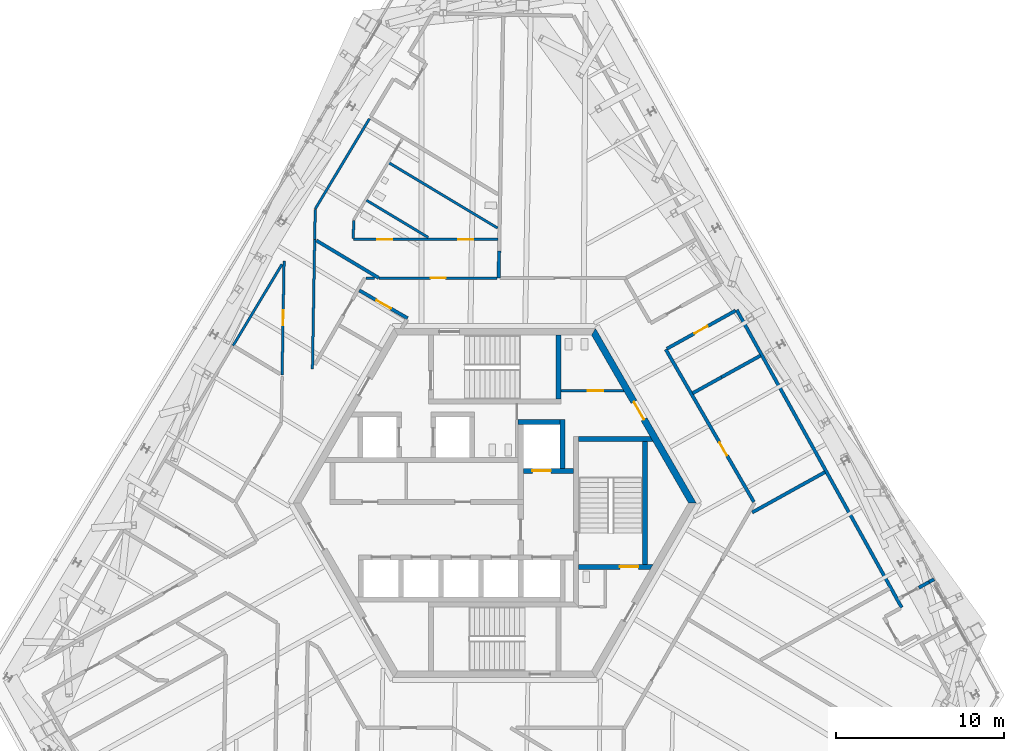
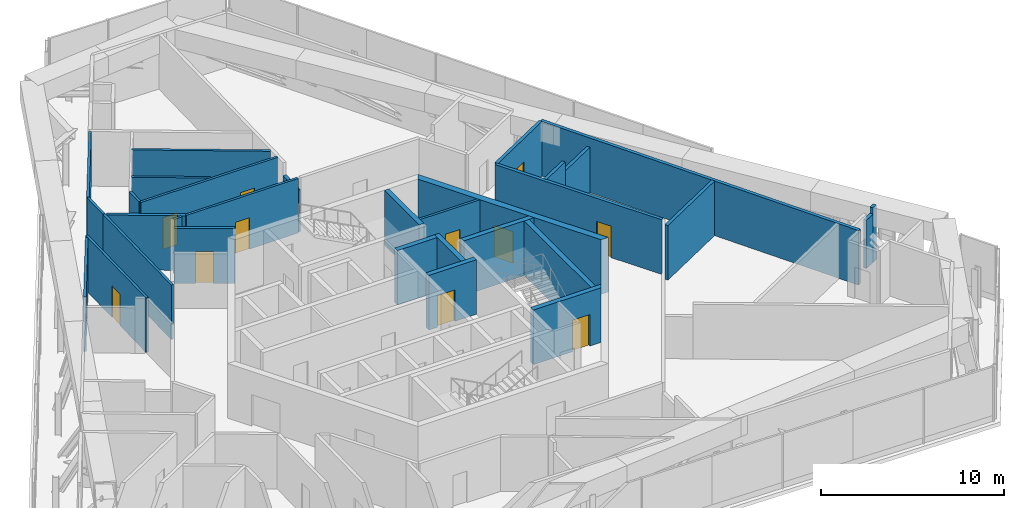
# One storey, part 18 of 28: 31 walls, 11 doors, 11 openings.
"""IFC4 building model written with IfcOpenShell, lengths in metres."""

from ifc_helpers import new_model, si_unit, direction, frame, frame_2d, origin, place, context, subcontext, project, spatial, polyline, rectangle, outline, extrude, source, transform, mapped, material, layer, layer_set, type_object, element, fill, save


model = new_model("IFC4")

# Units and contexts
model_context = context("Model", 3, precision=1e-05, world=origin(), true_north=direction((0.0, 1.0)))
body_context = subcontext(model_context, "Body", "Model", "MODEL_VIEW")
ifc_project = project(units=[si_unit("LENGTHUNIT", "METRE"), si_unit("AREAUNIT", "SQUARE_METRE"), si_unit("VOLUMEUNIT", "CUBIC_METRE"), si_unit("PLANEANGLEUNIT", "RADIAN"), si_unit("MASSUNIT", "GRAM", prefix="KILO")], contexts=[model_context])

# Site, building, storey
site_placement = place(None, origin())
site = spatial("IfcSite", under=ifc_project, at=site_placement, CompositionType="ELEMENT")
building_placement = place(site_placement, origin())
building = spatial("IfcBuilding", under=site, at=building_placement, Name="Triune Harvest Tower", CompositionType="ELEMENT")
storey_placement = place(building_placement, frame((0.0, 0.0, 215.89990234375)))
storey = spatial("IfcBuildingStorey", under=building, at=storey_placement, Name="L56", CompositionType="ELEMENT", Elevation=215.89990234375)

# Walls
ifc_material_1 = material(Name="Gypsum board on steel studs", Category="steel")
ifc_layer_1 = layer(ifc_material_1, 0.14990234375)
ifc_layer_set_1 = layer_set([ifc_layer_1], Name="Gypsum board on steel studs")
wall_type_1 = type_object("IfcWallType", Name="Fire Partition 150 mm", PredefinedType="PARTITIONING", material=ifc_layer_set_1)
wall_1_placement = place(storey_placement, frame((-7.6357421875, 18.02197265625, 0.0), z_axis=(0.0, 0.0, 1.0), x_axis=(0.857176663713, -0.515022491923, 0.0)))
element("IfcWall", 1, at=wall_1_placement, inside=storey, type_object=wall_type_1, Name="Partition L56 023", PredefinedType="PARTITIONING", context=body_context, shape_type="SweptSolid", body=[
    extrude(rectangle(XDim=4.29345703125, YDim=0.14990234375, at=frame_2d((2.146728515625, 0.0))), origin(), (0.0, 0.0, 1.0), 3.64013671875),
])
wall_2_placement = place(storey_placement, frame((-6.337646484375, 20.279296875, 0.0), z_axis=(0.0, 0.0, 1.0), x_axis=(0.857177957117, -0.515020339241, 0.0)))
element("IfcWall", 2, at=wall_2_placement, inside=storey, type_object=wall_type_1, Name="Partition L56 024", PredefinedType="PARTITIONING", context=body_context, shape_type="SweptSolid", body=[
    extrude(rectangle(XDim=7.595458984375, YDim=0.14990234375, at=frame_2d((3.7978515625, 0.0))), origin(), (0.0, 0.0, 1.0), 3.64013671875),
])
wall_3_placement = place(storey_placement, frame((-7.662109375, 13.392333984375, 0.0), z_axis=(0.0, 0.0, 1.0), x_axis=(1.0, 0.0, 0.0)))
element("IfcWall", 3, at=wall_3_placement, inside=storey, type_object=wall_type_1, Name="Partition L56 040", PredefinedType="PARTITIONING", context=body_context, shape_type="SweptSolid", body=[
    extrude(rectangle(XDim=0.490966796875, YDim=0.14990234375, at=frame_2d((0.24560546875, 0.0))), origin(), (0.0, 0.0, 1.0), 3.64013671875),
])

# Wall, opening, door
wall_4_placement = place(storey_placement, frame((-6.89111328125, 13.392333984375, 0.0), z_axis=(0.0, 0.0, 1.0), x_axis=(1.0, 0.0, 0.0)))
wall_4 = element("IfcWall", 4, at=wall_4_placement, inside=storey, type_object=wall_type_1, Name="Partition L56 041", PredefinedType="PARTITIONING", context=body_context, shape_type="SweptSolid", body=[
    extrude(rectangle(XDim=7.0419921875, YDim=0.14990234375, at=frame_2d((3.52099609375, 0.0))), origin(), (0.0, 0.0, 1.0), 3.64013671875),
])
opening_1_placement = place(wall_4_placement, frame((3.074951171875, 0.0, 0.0)))
opening_1 = element("IfcOpeningElement", 5, at=opening_1_placement, cuts=wall_4, Name="Opening L56-008", PredefinedType="OPENING", context=body_context, shape_type="SweptSolid", body=[
    extrude(rectangle(XDim=0.89990234375, YDim=2.10009765625, at=frame_2d((0.449951171875, 1.050048828125))), frame((0.0, 0.0849609375, 0.0), z_axis=(0.0, -1.0, 0.0), x_axis=(1.0, 0.0, 0.0)), (0.0, 0.0, 1.0), 0.169921875),
])
ifc_material_2 = material(Name="Timber and steel door set", Category="steel")
door_type_1 = type_object("IfcDoorType", Name="Single leaf door FD30 left hand 900 x 2100", OperationType="SINGLE_SWING_LEFT", PredefinedType="DOOR", material=ifc_material_2)
door_1_placement = place(opening_1_placement, origin())
door_1 = element("IfcDoor", 6, at=door_1_placement, inside=storey, type_object=door_type_1, Name="Door L56-008 WC lobby 56.08", OperationType="SINGLE_SWING_LEFT", OverallHeight=2.10009765625, OverallWidth=0.89990234375, PredefinedType="DOOR", context=body_context, shape_type="SweptSolid", body=[
    extrude(rectangle(XDim=0.89990234375, YDim=2.10009765625, at=frame_2d((0.449951171875, 1.050048828125))), frame((0.0, 0.02490234375, 0.0), z_axis=(0.0, -1.0, 0.0), x_axis=(1.0, 0.0, 0.0)), (0.0, 0.0, 1.0), 0.050048828125),
])
fill(opening_1, door_1)

# Wall, openings, doors
wall_5_placement = place(storey_placement, frame((-8.418212890625, 15.6923828125, 0.0), z_axis=(0.0, 0.0, 1.0), x_axis=(1.0, 0.0, 0.0)))
wall_5 = element("IfcWall", 7, at=wall_5_placement, inside=storey, type_object=wall_type_1, Name="Partition L56 043", PredefinedType="PARTITIONING", context=body_context, shape_type="SweptSolid", body=[
    extrude(rectangle(XDim=8.612060546875, YDim=0.14990234375, at=frame_2d((4.30615234375, 0.0))), origin(), (0.0, 0.0, 1.0), 3.64013671875),
])
opening_2_placement = place(wall_5_placement, frame((6.2421875, 0.0, 0.0)))
opening_2 = element("IfcOpeningElement", 8, at=opening_2_placement, cuts=wall_5, Name="Opening L56-010", PredefinedType="OPENING", context=body_context, shape_type="SweptSolid", body=[
    extrude(rectangle(XDim=0.89990234375, YDim=2.10009765625, at=frame_2d((0.449951171875, 1.050048828125))), frame((0.0, 0.0849609375, 0.0), z_axis=(0.0, -1.0, 0.0), x_axis=(1.0, 0.0, 0.0)), (0.0, 0.0, 1.0), 0.169921875),
])
opening_3_placement = place(wall_5_placement, frame((1.409912109375, 0.0, 0.0)))
opening_3 = element("IfcOpeningElement", 9, at=opening_3_placement, cuts=wall_5, Name="Opening L56-011", PredefinedType="OPENING", context=body_context, shape_type="SweptSolid", body=[
    extrude(rectangle(XDim=0.89990234375, YDim=2.10009765625, at=frame_2d((0.449951171875, 1.050048828125))), frame((0.0, 0.0849609375, 0.0), z_axis=(0.0, -1.0, 0.0), x_axis=(1.0, 0.0, 0.0)), (0.0, 0.0, 1.0), 0.169921875),
])
door_2_placement = place(opening_3_placement, origin())
door_2 = element("IfcDoor", 10, at=door_2_placement, inside=storey, type_object=door_type_1, Name="Door L56-011 Accessible WC 56.11", OperationType="SINGLE_SWING_LEFT", OverallHeight=2.10009765625, OverallWidth=0.89990234375, PredefinedType="DOOR", context=body_context, shape_type="SweptSolid", body=[
    extrude(rectangle(XDim=0.89990234375, YDim=2.10009765625, at=frame_2d((0.449951171875, 1.050048828125))), frame((0.0, 0.02490234375, 0.0), z_axis=(0.0, -1.0, 0.0), x_axis=(1.0, 0.0, 0.0)), (0.0, 0.0, 1.0), 0.050048828125),
])
fill(opening_3, door_2)
ifc_material_3 = material(Name="Timber and steel door set", Category="steel")
door_type_2 = type_object("IfcDoorType", Name="Single leaf door FD30 right hand 900 x 2100", OperationType="SINGLE_SWING_RIGHT", PredefinedType="DOOR", material=ifc_material_3)
door_3_placement = place(opening_2_placement, origin())
door_3 = element("IfcDoor", 11, at=door_3_placement, inside=storey, type_object=door_type_2, Name="Door L56-010 Men's WC 56.10", OperationType="SINGLE_SWING_RIGHT", OverallHeight=2.10009765625, OverallWidth=0.89990234375, PredefinedType="DOOR", context=body_context, shape_type="SweptSolid", body=[
    extrude(rectangle(XDim=0.89990234375, YDim=2.10009765625, at=frame_2d((0.449951171875, 1.050048828125))), frame((0.0, 0.02490234375, 0.0), z_axis=(0.0, -1.0, 0.0), x_axis=(1.0, 0.0, 0.0)), (0.0, 0.0, 1.0), 0.050048828125),
])
fill(opening_2, door_3)

# Walls
wall_6_placement = place(storey_placement, frame((-10.68701171875, 17.506591796875, 0.0), z_axis=(0.0, 0.0, 1.0), x_axis=(0.515033956412, 0.857169775332, 0.0)))
element("IfcWall", 12, at=wall_6_placement, inside=storey, type_object=wall_type_1, Name="Partition L56 064", PredefinedType="PARTITIONING", context=body_context, shape_type="SweptSolid", body=[
    extrude(rectangle(XDim=6.26953125, YDim=0.14990234375, at=frame_2d((3.134765625, 0.0))), origin(), (0.0, 0.0, 1.0), 3.64013671875),
])
wall_7_placement = place(storey_placement, frame((-8.417236328125, 15.752197265625, 0.0), z_axis=(0.0, 0.0, 1.0), x_axis=(0.017433944141, 0.999848017246, 0.0)))
element("IfcWall", 13, at=wall_7_placement, inside=storey, type_object=wall_type_1, Name="Partition L56 075", PredefinedType="PARTITIONING", context=body_context, shape_type="SweptSolid", body=[
    extrude(rectangle(XDim=1.078369140625, YDim=0.14990234375, at=frame_2d((0.5390625, 0.0))), origin(), (0.0, 0.0, 1.0), 3.64013671875),
])
wall_8_placement = place(storey_placement, frame((-10.853271484375, 7.986572265625, 0.0), z_axis=(0.0, 0.0, 1.0), x_axis=(0.017455042604, 0.999847649138, 0.0)))
element("IfcWall", 14, at=wall_8_placement, inside=storey, type_object=wall_type_1, Name="Partition L56 077", PredefinedType="PARTITIONING", context=body_context, shape_type="SweptSolid", body=[
    extrude(rectangle(XDim=7.706787109375, YDim=0.14990234375, at=frame_2d((3.853515625, 0.0))), origin(), (0.0, 0.0, 1.0), 3.64013671875),
])
wall_9_placement = place(storey_placement, frame((-10.71875, 15.692138671875, 0.0), z_axis=(0.0, 0.0, 1.0), x_axis=(0.017548317839, 0.999846016415, 0.0)))
element("IfcWall", 15, at=wall_9_placement, inside=storey, type_object=wall_type_1, Name="Partition L56 078", PredefinedType="PARTITIONING", context=body_context, shape_type="SweptSolid", body=[
    extrude(rectangle(XDim=1.794677734375, YDim=0.14990234375, at=frame_2d((0.8974609375, 0.0))), origin(), (0.0, 0.0, 1.0), 3.64013671875),
])

# Wall, opening, door
wall_10_placement = place(storey_placement, frame((-12.659912109375, 7.610595703125, 0.0), z_axis=(0.0, 0.0, 1.0), x_axis=(0.017456291479, 0.999847627335, 0.0)))
wall_10 = element("IfcWall", 16, at=wall_10_placement, inside=storey, type_object=wall_type_1, Name="Partition L56 081", PredefinedType="PARTITIONING", context=body_context, shape_type="SweptSolid", body=[
    extrude(rectangle(XDim=6.81103515625, YDim=0.14990234375, at=frame_2d((3.405517578125, 0.0))), origin(), (0.0, 0.0, 1.0), 3.64013671875),
])
opening_4_placement = place(wall_10_placement, frame((2.961181640625, 0.0, 0.0)))
opening_4 = element("IfcOpeningElement", 17, at=opening_4_placement, cuts=wall_10, Name="Opening L56-012", PredefinedType="OPENING", context=body_context, shape_type="SweptSolid", body=[
    extrude(rectangle(XDim=0.89990234375, YDim=2.10009765625, at=frame_2d((0.449951171875, 1.050048828125))), frame((0.0, 0.0849609375, 0.0), z_axis=(0.0, -1.0, 0.0), x_axis=(1.0, 0.0, 0.0)), (0.0, 0.0, 1.0), 0.169921875),
])
door_4_placement = place(opening_4_placement, origin())
door_4 = element("IfcDoor", 18, at=door_4_placement, inside=storey, type_object=door_type_2, Name="Door L56-012 Dry Store Room 56.12", OperationType="SINGLE_SWING_RIGHT", OverallHeight=2.10009765625, OverallWidth=0.89990234375, PredefinedType="DOOR", context=body_context, shape_type="SweptSolid", body=[
    extrude(rectangle(XDim=0.89990234375, YDim=2.10009765625, at=frame_2d((0.449951171875, 1.050048828125))), frame((0.0, 0.02490234375, 0.0), z_axis=(0.0, -1.0, 0.0), x_axis=(1.0, 0.0, 0.0)), (0.0, 0.0, 1.0), 0.050048828125),
])
fill(opening_4, door_4)

# Wall
ifc_material_4 = material(Name="Gypsum board on steel studs", Category="steel")
ifc_layer_2 = layer(ifc_material_4, 0.199951171875)
ifc_layer_set_2 = layer_set([ifc_layer_2], Name="Gypsum board on steel studs")
wall_type_2 = type_object("IfcWallType", Name="Fire Wall 200 mm", PredefinedType="PARTITIONING", material=ifc_layer_set_2)
wall_11_placement = place(storey_placement, frame((14.412841796875, 11.491943359375, 0.0), z_axis=(0.0, 0.0, 1.0), x_axis=(0.484796482299, -0.874626989494, 0.0)))
element("IfcWall", 19, at=wall_11_placement, inside=storey, type_object=wall_type_2, Name="Partition L56 004", PredefinedType="PARTITIONING", context=body_context, shape_type="SweptSolid", body=[
    extrude(rectangle(XDim=20.258056640625, YDim=0.199951171875, at=frame_2d((10.12890625, 0.0))), origin(), (0.0, 0.0, 1.0), 3.64013671875),
])

# Wall, opening, door
wall_12_placement = place(storey_placement, frame((10.18310546875, 9.147216796875, 0.0), z_axis=(0.0, 0.0, 1.0), x_axis=(0.499993025218, -0.866029430639, 0.0)))
wall_12 = element("IfcWall", 20, at=wall_12_placement, inside=storey, type_object=wall_type_2, Name="Partition L56 009", PredefinedType="PARTITIONING", context=body_context, shape_type="SweptSolid", body=[
    extrude(rectangle(XDim=10.492431640625, YDim=0.199951171875, at=frame_2d((5.24609375, 0.0))), origin(), (0.0, 0.0, 1.0), 3.64013671875),
])
opening_5_placement = place(wall_12_placement, frame((6.412109375, 0.0, 0.0)))
opening_5 = element("IfcOpeningElement", 21, at=opening_5_placement, cuts=wall_12, Name="Opening L56-003", PredefinedType="OPENING", context=body_context, shape_type="SweptSolid", body=[
    extrude(rectangle(XDim=0.89990234375, YDim=2.10009765625, at=frame_2d((0.449951171875, 1.050048828125))), frame((0.0, 0.10986328125, 0.0), z_axis=(0.0, -1.0, 0.0), x_axis=(1.0, 0.0, 0.0)), (0.0, 0.0, 1.0), 0.219970703125),
])
ifc_material_5 = material(Name="Timber and steel door set", Category="steel")
door_type_3 = type_object("IfcDoorType", Name="Single leaf door FD60 right hand 900 x 2100", OperationType="SINGLE_SWING_RIGHT", PredefinedType="DOOR", material=ifc_material_5)
door_5_placement = place(opening_5_placement, origin())
door_5 = element("IfcDoor", 22, at=door_5_placement, inside=storey, type_object=door_type_3, Name="Door L56-003 Stair Pressurisation Fan Room 56.03", OperationType="SINGLE_SWING_RIGHT", OverallHeight=2.10009765625, OverallWidth=0.89990234375, PredefinedType="DOOR", context=body_context, shape_type="SweptSolid", body=[
    extrude(rectangle(XDim=0.89990234375, YDim=2.10009765625, at=frame_2d((0.449951171875, 1.050048828125))), frame((0.0, 0.02490234375, 0.0), z_axis=(0.0, -1.0, 0.0), x_axis=(1.0, 0.0, 0.0)), (0.0, 0.0, 1.0), 0.050048828125),
])
fill(opening_5, door_5)

# Walls
wall_13_placement = place(storey_placement, frame((-10.61572265625, 15.626708984375, 0.0), z_axis=(0.0, 0.0, 1.0), x_axis=(0.857174243695, -0.515026519654, 0.0)))
element("IfcWall", 23, at=wall_13_placement, inside=storey, type_object=wall_type_2, Name="Partition L56 022", PredefinedType="PARTITIONING", context=body_context, shape_type="SweptSolid", body=[
    extrude(rectangle(XDim=4.328369140625, YDim=0.199951171875, at=frame_2d((2.1640625, 0.0))), origin(), (0.0, 0.0, 1.0), 3.64013671875),
])
wall_14_placement = place(storey_placement, frame((25.2529296875, -5.0439453125, 0.0), z_axis=(0.0, 0.0, 1.0), x_axis=(0.874786770759, 0.484508106956, 0.0)))
element("IfcWall", 24, at=wall_14_placement, inside=storey, type_object=wall_type_2, Name="Partition L56 047a", PredefinedType="PARTITIONING", context=body_context, shape_type="SweptSolid", body=[
    extrude(rectangle(XDim=0.6943359375, YDim=0.199951171875, at=frame_2d((0.34716796875, 0.0))), origin(), (0.0, 0.0, 1.0), 3.223388671875),
])
wall_15_placement = place(storey_placement, frame((25.8603515625, -4.70751953125, 0.0), z_axis=(0.0, 0.0, 1.0), x_axis=(0.874427167605, 0.485156808213, 0.0)))
element("IfcWall", 25, at=wall_15_placement, inside=storey, type_object=wall_type_2, Name="Partition L56 047b", PredefinedType="PARTITIONING", context=body_context, shape_type="SweptSolid", body=[
    extrude(rectangle(XDim=0.341064453125, YDim=0.199951171875, at=frame_2d((0.17041015625, 0.0))), origin(), (0.0, 0.0, 1.0), 3.64013671875),
])
wall_16_placement = place(storey_placement, frame((15.330078125, -0.56591796875, 0.0), z_axis=(0.0, 0.0, 1.0), x_axis=(0.874623237064, 0.484803252039, 0.0)))
element("IfcWall", 26, at=wall_16_placement, inside=storey, type_object=wall_type_2, Name="Partition L56 049", PredefinedType="PARTITIONING", context=body_context, shape_type="SweptSolid", body=[
    extrude(rectangle(XDim=4.96337890625, YDim=0.199951171875, at=frame_2d((2.481689453125, 0.0))), origin(), (0.0, 0.0, 1.0), 3.64013671875),
])
wall_17_placement = place(storey_placement, frame((11.7841796875, 6.5341796875, 0.0), z_axis=(0.0, 0.0, 1.0), x_axis=(0.874635558715, 0.484781022144, 0.0)))
element("IfcWall", 27, at=wall_17_placement, inside=storey, type_object=wall_type_2, Name="Partition L56 051", PredefinedType="PARTITIONING", context=body_context, shape_type="SweptSolid", body=[
    extrude(rectangle(XDim=1.97265625, YDim=0.199951171875, at=frame_2d((0.986328125, 0.0))), origin(), (0.0, 0.0, 1.0), 3.64013671875),
])
wall_18_placement = place(storey_placement, frame((13.509521484375, 7.490478515625, 0.0), z_axis=(0.0, 0.0, 1.0), x_axis=(0.874561157767, 0.484915231071, 0.0)))
element("IfcWall", 28, at=wall_18_placement, inside=storey, type_object=wall_type_2, Name="Partition L56 051a", PredefinedType="PARTITIONING", context=body_context, shape_type="SweptSolid", body=[
    extrude(rectangle(XDim=2.649658203125, YDim=0.199951171875, at=frame_2d((1.32470703125, 0.0))), origin(), (0.0, 0.0, 1.0), 3.02783203125),
])

# Wall, opening, door
wall_19_placement = place(storey_placement, frame((10.2529296875, 9.18603515625, 0.0), z_axis=(0.0, 0.0, 1.0), x_axis=(0.874614952492, 0.484818197758, 0.0)))
wall_19 = element("IfcWall", 29, at=wall_19_placement, inside=storey, type_object=wall_type_2, Name="Partition L56 053", PredefinedType="PARTITIONING", context=body_context, shape_type="SweptSolid", body=[
    extrude(rectangle(XDim=4.67626953125, YDim=0.199951171875, at=frame_2d((2.338134765625, 0.0))), origin(), (0.0, 0.0, 1.0), 3.64013671875),
])
opening_6_placement = place(wall_19_placement, frame((1.8701171875, 0.0, 0.0)))
opening_6 = element("IfcOpeningElement", 30, at=opening_6_placement, cuts=wall_19, Name="Opening L56-005", PredefinedType="OPENING", context=body_context, shape_type="SweptSolid", body=[
    extrude(rectangle(XDim=0.89990234375, YDim=2.10009765625, at=frame_2d((0.449951171875, 1.050048828125))), frame((0.0, 0.10986328125, 0.0), z_axis=(0.0, -1.0, 0.0), x_axis=(1.0, 0.0, 0.0)), (0.0, 0.0, 1.0), 0.219970703125),
])
door_6_placement = place(opening_6_placement, origin())
door_6 = element("IfcDoor", 31, at=door_6_placement, inside=storey, type_object=door_type_3, Name="Door L56-005 Pump Room 56.05", OperationType="SINGLE_SWING_RIGHT", OverallHeight=2.10009765625, OverallWidth=0.89990234375, PredefinedType="DOOR", context=body_context, shape_type="SweptSolid", body=[
    extrude(rectangle(XDim=0.89990234375, YDim=2.10009765625, at=frame_2d((0.449951171875, 1.050048828125))), frame((0.0, 0.02490234375, 0.0), z_axis=(0.0, -1.0, 0.0), x_axis=(1.0, 0.0, 0.0)), (0.0, 0.0, 1.0), 0.050048828125),
])
fill(opening_6, door_6)

# Wall
wall_20_placement = place(storey_placement, frame((0.23388671875, 13.392333984375, 0.0), z_axis=(0.0, 0.0, 1.0), x_axis=(0.017379478692, 0.999848965454, 0.0)))
element("IfcWall", 32, at=wall_20_placement, inside=storey, type_object=wall_type_2, Name="Partition L56 073", PredefinedType="PARTITIONING", context=body_context, shape_type="SweptSolid", body=[
    extrude(rectangle(XDim=1.615478515625, YDim=0.199951171875, at=frame_2d((0.8076171875, 0.0))), origin(), (0.0, 0.0, 1.0), 2.79931640625),
])

# Wall, opening, door
ifc_material_6 = material(Name="Concrete 70 MPa", Category="concrete")
ifc_layer_3 = layer(ifc_material_6, 0.39990234375)
ifc_layer_set_3 = layer_set([ifc_layer_3], Name="Concrete 70 MPa")
wall_type_3 = type_object("IfcWallType", Name="Core wall 400", PredefinedType="SHEAR", material=ifc_layer_set_3)
shared_shape_1 = source(origin(), body_context, "Body", "SweptSolid", [
    extrude(outline(polyline([(-0.115478515625, -0.199951171875), (11.884521484375, -0.199951171875), (11.653564453125, 0.199951171875), (0.115478515625, 0.199951171875), (-0.115478515625, -0.199951171875)])), origin(), (0.0, 0.0, 1.0), 3.64013671875),
])
wall_21_placement = place(storey_placement, frame((11.76904296875, 0.0, 0.0), z_axis=(0.0, 0.0, 1.0), x_axis=(-0.499996592174, 0.866027371285, 0.0)))
wall_21 = element("IfcWall", 33, at=wall_21_placement, inside=storey, type_object=wall_type_3, Name="Hexagon 0 wall", PredefinedType="SHEAR", context=body_context, shape_type="MappedRepresentation", body=[
    mapped(shared_shape_1, transform((0.0, 0.0, 0.0), scale=1.0)),
])
opening_7_placement = place(wall_21_placement, frame((5.75048828125, 0.0, 0.0)))
opening_7 = element("IfcOpeningElement", 34, at=opening_7_placement, cuts=wall_21, Name="Opening CD-WCP", PredefinedType="OPENING", context=body_context, shape_type="SweptSolid", body=[
    extrude(rectangle(XDim=1.199951171875, YDim=2.10009765625, at=frame_2d((0.60009765625, 1.050048828125))), frame((0.0, 0.2099609375, 0.0), z_axis=(0.0, -1.0, 0.0), x_axis=(1.0, 0.0, 0.0)), (0.0, 0.0, 1.0), 0.419921875),
])
ifc_material_7 = material(Name="Steel S235", Category="steel")
door_type_4 = type_object("IfcDoorType", Name="Lobby door 1200 FD120", OperationType="SINGLE_SWING_LEFT", PredefinedType="DOOR", material=ifc_material_7)
door_7_placement = place(opening_7_placement, frame((1.199951171875, 0.0, 0.0), z_axis=(0.0, 0.0, 1.0), x_axis=(-1.0, 0.0, 0.0)))
door_7 = element("IfcDoor", 35, at=door_7_placement, inside=storey, type_object=door_type_4, Name="Door CD-WCP", OperationType="SINGLE_SWING_RIGHT", OverallHeight=2.10009765625, OverallWidth=1.199951171875, PredefinedType="DOOR", context=body_context, shape_type="SweptSolid", body=[
    extrude(rectangle(XDim=1.199951171875, YDim=2.10009765625, at=frame_2d((0.60009765625, 1.050048828125))), frame((0.0, 0.02490234375, 0.0), z_axis=(0.0, -1.0, 0.0), x_axis=(1.0, 0.0, 0.0)), (0.0, 0.0, 1.0), 0.050048828125),
])
fill(opening_7, door_7)

# Wall
ifc_material_8 = material(Name="Concrete 70 MPa", Category="concrete")
ifc_layer_4 = layer(ifc_material_8, 0.300048828125)
ifc_layer_set_4 = layer_set([ifc_layer_4], Name="Concrete 70 MPa")
wall_type_4 = type_object("IfcWallType", Name="Core wall 300", PredefinedType="SHEAR", material=ifc_layer_set_4)
shared_shape_2 = source(origin(), body_context, "Body", "SweptSolid", [
    extrude(rectangle(XDim=2.5, YDim=0.300048828125, at=frame_2d((1.25, 0.0))), origin(), (0.0, 0.0, 1.0), 3.64013671875),
])
wall_22_placement = place(storey_placement, frame((1.39990234375, 4.81005859375, 0.0), z_axis=(0.0, 0.0, 1.0), x_axis=(1.0, 0.0, 0.0)))
element("IfcWall", 36, at=wall_22_placement, inside=storey, type_object=wall_type_4, Name="Ff1 back wall", PredefinedType="SHEAR", context=body_context, shape_type="MappedRepresentation", body=[
    mapped(shared_shape_2, transform((0.0, 0.0, 0.0), scale=1.0)),
])

# Wall, opening, door
shared_shape_3 = source(origin(), body_context, "Body", "SweptSolid", [
    extrude(rectangle(XDim=3.0, YDim=0.300048828125, at=frame_2d((1.5, 0.0))), origin(), (0.0, 0.0, 1.0), 3.64013671875),
])
wall_23_placement = place(storey_placement, frame((1.699951171875, 1.909912109375, 0.0), z_axis=(0.0, 0.0, 1.0), x_axis=(1.0, 0.0, 0.0)))
wall_23 = element("IfcWall", 37, at=wall_23_placement, inside=storey, type_object=wall_type_4, Name="Ff1 front wall", PredefinedType="SHEAR", context=body_context, shape_type="MappedRepresentation", body=[
    mapped(shared_shape_3, transform((0.0, 0.0, 0.0), scale=1.0)),
])
opening_8_placement = place(wall_23_placement, frame((0.550048828125, 0.0, 0.0)))
opening_8 = element("IfcOpeningElement", 38, at=opening_8_placement, cuts=wall_23, Name="Opening LD-FF1-56", PredefinedType="OPENING", context=body_context, shape_type="SweptSolid", body=[
    extrude(rectangle(XDim=1.10009765625, YDim=2.10009765625, at=frame_2d((0.550048828125, 1.050048828125))), frame((0.0, 0.16015625, 0.0), z_axis=(0.0, -1.0, 0.0), x_axis=(1.0, 0.0, 0.0)), (0.0, 0.0, 1.0), 0.320068359375),
])
ifc_material_9 = material(Name="Stainless steel AISI 304", Category="steel")
door_type_5 = type_object("IfcDoorType", Name="Landing door 1100 x 2100", OperationType="DOUBLE_DOOR_SLIDING", PredefinedType="DOOR", material=ifc_material_9)
door_8_placement = place(opening_8_placement, origin())
door_8 = element("IfcDoor", 39, at=door_8_placement, inside=storey, type_object=door_type_5, Name="Door LD-FF1-56", OperationType="DOUBLE_DOOR_SLIDING", OverallHeight=2.10009765625, OverallWidth=1.10009765625, PredefinedType="DOOR", context=body_context, shape_type="SweptSolid", body=[
    extrude(rectangle(XDim=1.10009765625, YDim=2.10009765625, at=frame_2d((0.550048828125, 1.050048828125))), frame((0.0, 0.02490234375, 0.0), z_axis=(0.0, -1.0, 0.0), x_axis=(1.0, 0.0, 0.0)), (0.0, 0.0, 1.0), 0.050048828125),
])
fill(opening_8, door_8)

# Walls
shared_shape_4 = source(origin(), body_context, "Body", "SweptSolid", [
    extrude(rectangle(XDim=2.89990234375, YDim=0.300048828125, at=frame_2d((1.449951171875, 0.0))), origin(), (0.0, 0.0, 1.0), 3.64013671875),
])
wall_24_placement = place(storey_placement, frame((4.050048828125, 2.06005859375, 0.0), z_axis=(0.0, 0.0, 1.0), x_axis=(0.0, 1.0, 0.0)))
element("IfcWall", 40, at=wall_24_placement, inside=storey, type_object=wall_type_4, Name="Ff1 east wall", PredefinedType="SHEAR", context=body_context, shape_type="MappedRepresentation", body=[
    mapped(shared_shape_4, transform((0.0, 0.0, 0.0), scale=1.0)),
])
shared_shape_5 = source(origin(), body_context, "Body", "SweptSolid", [
    extrude(outline(polyline([(0.0, -0.14990234375), (0.0, 0.14990234375), (4.260009765625, 0.14990234375), (4.43310546875, -0.14990234375), (0.0, -0.14990234375)])), origin(), (0.0, 0.0, 1.0), 3.64013671875),
])
wall_25_placement = place(storey_placement, frame((5.0, 3.800048828125, 0.0), z_axis=(0.0, 0.0, 1.0), x_axis=(1.0, 0.0, 0.0)))
element("IfcWall", 41, at=wall_25_placement, inside=storey, type_object=wall_type_4, Name="Stair e north wall", PredefinedType="SHEAR", context=body_context, shape_type="MappedRepresentation", body=[
    mapped(shared_shape_5, transform((0.0, 0.0, 0.0), scale=1.0)),
])

# Wall, opening, door
shared_shape_6 = source(origin(), body_context, "Body", "SweptSolid", [
    extrude(outline(polyline([(0.0, -0.14990234375), (0.0, 0.14990234375), (4.43310546875, 0.14990234375), (4.260009765625, -0.14990234375), (0.0, -0.14990234375)])), origin(), (0.0, 0.0, 1.0), 3.64013671875),
])
wall_26_placement = place(storey_placement, frame((5.0, -3.800048828125, 0.0), z_axis=(0.0, 0.0, 1.0), x_axis=(1.0, 0.0, 0.0)))
wall_26 = element("IfcWall", 42, at=wall_26_placement, inside=storey, type_object=wall_type_4, Name="Stair e south wall", PredefinedType="SHEAR", context=body_context, shape_type="MappedRepresentation", body=[
    mapped(shared_shape_6, transform((0.0, 0.0, 0.0), scale=1.0)),
])
opening_9_placement = place(wall_26_placement, frame((2.449951171875, 0.0, 0.0)))
opening_9 = element("IfcOpeningElement", 43, at=opening_9_placement, cuts=wall_26, Name="Opening CD-S3D", PredefinedType="OPENING", context=body_context, shape_type="SweptSolid", body=[
    extrude(rectangle(XDim=1.10009765625, YDim=2.10009765625, at=frame_2d((0.550048828125, 1.050048828125))), frame((0.0, 0.16015625, 0.0), z_axis=(0.0, -1.0, 0.0), x_axis=(1.0, 0.0, 0.0)), (0.0, 0.0, 1.0), 0.320068359375),
])
ifc_material_10 = material(Name="Steel S235", Category="steel")
door_type_6 = type_object("IfcDoorType", Name="Stair door 1100 FD120", OperationType="SINGLE_SWING_LEFT", PredefinedType="DOOR", material=ifc_material_10)
door_9_placement = place(opening_9_placement, frame((1.10009765625, 0.0, 0.0), z_axis=(0.0, 0.0, 1.0), x_axis=(-1.0, 0.0, 0.0)))
door_9 = element("IfcDoor", 44, at=door_9_placement, inside=storey, type_object=door_type_6, Name="Door CD-S3D", OperationType="SINGLE_SWING_RIGHT", OverallHeight=2.10009765625, OverallWidth=1.10009765625, PredefinedType="DOOR", context=body_context, shape_type="SweptSolid", body=[
    extrude(rectangle(XDim=1.10009765625, YDim=2.10009765625, at=frame_2d((0.550048828125, 1.050048828125))), frame((0.0, 0.02490234375, 0.0), z_axis=(0.0, -1.0, 0.0), x_axis=(1.0, 0.0, 0.0)), (0.0, 0.0, 1.0), 0.050048828125),
])
fill(opening_9, door_9)

# Walls
shared_shape_7 = source(origin(), body_context, "Body", "SweptSolid", [
    extrude(rectangle(XDim=7.2998046875, YDim=0.300048828125, at=frame_2d((3.64990234375, 0.0))), origin(), (0.0, 0.0, 1.0), 3.64013671875),
])
wall_27_placement = place(storey_placement, frame((8.949951171875, -3.64990234375, 0.0), z_axis=(0.0, 0.0, 1.0), x_axis=(0.0, 1.0, 0.0)))
element("IfcWall", 45, at=wall_27_placement, inside=storey, type_object=wall_type_4, Name="Stair e east wall", PredefinedType="SHEAR", context=body_context, shape_type="MappedRepresentation", body=[
    mapped(shared_shape_7, transform((0.0, 0.0, 0.0), scale=1.0)),
])
shared_shape_8 = source(origin(), body_context, "Body", "SweptSolid", [
    extrude(outline(polyline([(0.0, -0.14990234375), (0.0, 0.14990234375), (3.80419921875, 0.14990234375), (3.80419921875, -0.14990234375), (0.0, -0.14990234375)])), origin(), (0.0, 0.0, 1.0), 3.64013671875),
])
wall_28_placement = place(storey_placement, frame((3.800048828125, 6.18994140625, 0.0), z_axis=(0.0, 0.0, 1.0), x_axis=(0.0, 1.0, 0.0)))
element("IfcWall", 46, at=wall_28_placement, inside=storey, type_object=wall_type_4, Name="Stair n east wall", PredefinedType="SHEAR", context=body_context, shape_type="MappedRepresentation", body=[
    mapped(shared_shape_8, transform((0.0, 0.0, 0.0), scale=1.0)),
])

# Wall, opening, door
ifc_material_11 = material(Name="Concrete masonry unit", Category="masonry")
ifc_layer_5 = layer(ifc_material_11, 0.14990234375)
ifc_layer_set_5 = layer_set([ifc_layer_5], Name="Concrete masonry unit")
wall_type_5 = type_object("IfcWallType", Name="Block partition 150 unrated", PredefinedType="PARTITIONING", material=ifc_layer_set_5)
shared_shape_9 = source(origin(), body_context, "Body", "SweptSolid", [
    extrude(outline(polyline([(0.0, -0.074951171875), (0.0, 0.074951171875), (3.693359375, 0.074951171875), (3.77978515625, -0.074951171875), (0.0, -0.074951171875)])), origin(), (0.0, 0.0, 1.0), 3.64013671875),
])
wall_29_placement = place(storey_placement, frame((3.949951171875, 6.675048828125, 0.0), z_axis=(0.0, 0.0, 1.0), x_axis=(1.0, 0.0, 0.0)))
wall_29 = element("IfcWall", 47, at=wall_29_placement, inside=storey, type_object=wall_type_5, Name="Wc women south wall", PredefinedType="PARTITIONING", context=body_context, shape_type="MappedRepresentation", body=[
    mapped(shared_shape_9, transform((0.0, 0.0, 0.0), scale=1.0)),
])
opening_10_placement = place(wall_29_placement, frame((1.60009765625, 0.0, 0.0)))
opening_10 = element("IfcOpeningElement", 48, at=opening_10_placement, cuts=wall_29, Name="Opening CD-WW", PredefinedType="OPENING", context=body_context, shape_type="SweptSolid", body=[
    extrude(rectangle(XDim=0.89990234375, YDim=2.10009765625, at=frame_2d((0.449951171875, 1.050048828125))), frame((0.0, 0.0849609375, 0.0), z_axis=(0.0, -1.0, 0.0), x_axis=(1.0, 0.0, 0.0)), (0.0, 0.0, 1.0), 0.169921875),
])
ifc_material_12 = material(Name="Timber C24", Category="wood")
door_type_7 = type_object("IfcDoorType", Name="WC door 900", OperationType="SINGLE_SWING_LEFT", PredefinedType="DOOR", material=ifc_material_12)
door_10_placement = place(opening_10_placement, origin())
door_10 = element("IfcDoor", 49, at=door_10_placement, inside=storey, type_object=door_type_7, Name="Door CD-WW", OperationType="SINGLE_SWING_LEFT", OverallHeight=2.10009765625, OverallWidth=0.89990234375, PredefinedType="DOOR", context=body_context, shape_type="SweptSolid", body=[
    extrude(rectangle(XDim=0.89990234375, YDim=2.10009765625, at=frame_2d((0.449951171875, 1.050048828125))), frame((0.0, 0.02490234375, 0.0), z_axis=(0.0, -1.0, 0.0), x_axis=(1.0, 0.0, 0.0)), (0.0, 0.0, 1.0), 0.050048828125),
])
fill(opening_10, door_10)

shared_shape_10 = source(origin(), body_context, "Body", "SweptSolid", [
    extrude(rectangle(XDim=3.320068359375, YDim=0.199951171875, at=frame_2d((1.66015625, 0.0))), origin(), (0.0, 0.0, 1.0), 3.64013671875),
])
wall_30_placement = place(storey_placement, frame((-8.062744140625, 12.659423828125, 0.0), z_axis=(0.0, 0.0, 1.0), x_axis=(0.866039863636, -0.499974953966, 0.0)))
wall_30 = element("IfcWall", 50, at=wall_30_placement, inside=storey, type_object=wall_type_2, Name="Partition L56 029", PredefinedType="PARTITIONING", context=body_context, shape_type="MappedRepresentation", body=[
    mapped(shared_shape_10, transform((0.0, 0.0, 0.0), scale=1.0)),
])
opening_11_placement = place(wall_30_placement, frame((1.169921875, 0.0, 0.0)))
opening_11 = element("IfcOpeningElement", 51, at=opening_11_placement, cuts=wall_30, Name="Opening L56-027", PredefinedType="OPENING", context=body_context, shape_type="SweptSolid", body=[
    extrude(rectangle(XDim=1.0, YDim=2.10009765625, at=frame_2d((0.5, 1.050048828125))), frame((0.0, 0.10986328125, 0.0), z_axis=(0.0, -1.0, 0.0), x_axis=(1.0, 0.0, 0.0)), (0.0, 0.0, 1.0), 0.219970703125),
])
ifc_material_13 = material(Name="Timber and steel door set", Category="steel")
door_type_8 = type_object("IfcDoorType", Name="Wide single leaf door FD60 left hand 1000 x 2100", OperationType="SINGLE_SWING_LEFT", PredefinedType="DOOR", material=ifc_material_13)
door_11_placement = place(opening_11_placement, origin())
door_11 = element("IfcDoor", 52, at=door_11_placement, inside=storey, type_object=door_type_8, Name="Door L56-027 Refuge Lobby 56.27", OperationType="SINGLE_SWING_LEFT", OverallHeight=2.10009765625, OverallWidth=1.0, PredefinedType="DOOR", context=body_context, shape_type="SweptSolid", body=[
    extrude(rectangle(XDim=1.0, YDim=2.10009765625, at=frame_2d((0.5, 1.050048828125))), frame((0.0, 0.02490234375, 0.0), z_axis=(0.0, -1.0, 0.0), x_axis=(1.0, 0.0, 0.0)), (0.0, 0.0, 1.0), 0.050048828125),
])
fill(opening_11, door_11)

# Wall
shared_shape_11 = source(origin(), body_context, "Body", "SweptSolid", [
    extrude(rectangle(XDim=5.6591796875, YDim=0.14990234375, at=frame_2d((2.82958984375, 0.0))), origin(), (0.0, 0.0, 1.0), 3.64013671875),
])
wall_31_placement = place(storey_placement, frame((-15.579345703125, 9.3642578125, 0.0), z_axis=(0.0, 0.0, 1.0), x_axis=(0.515022237479, 0.857176816592, 0.0)))
element("IfcWall", 53, at=wall_31_placement, inside=storey, type_object=wall_type_1, Name="Partition L56 063", PredefinedType="PARTITIONING", context=body_context, shape_type="MappedRepresentation", body=[
    mapped(shared_shape_11, transform((0.0, 0.0, 0.0), scale=1.0)),
])

save(model, "model.ifc")
